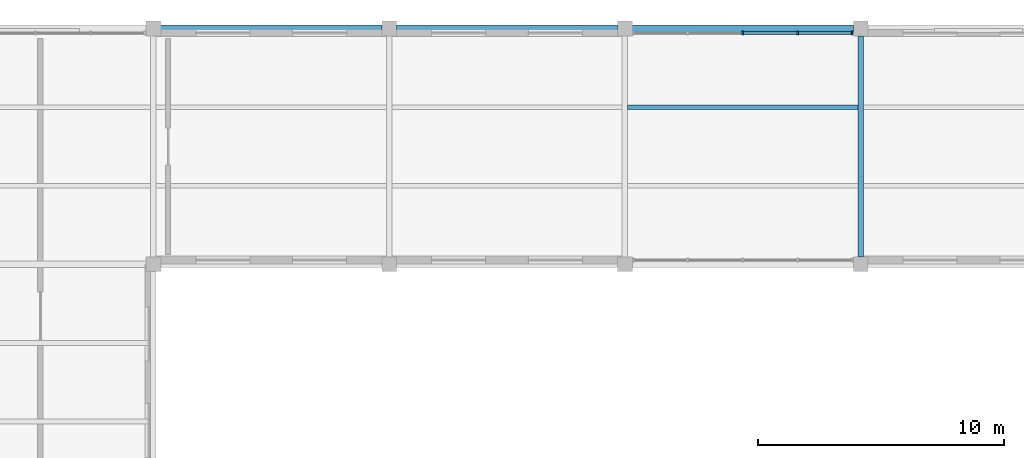
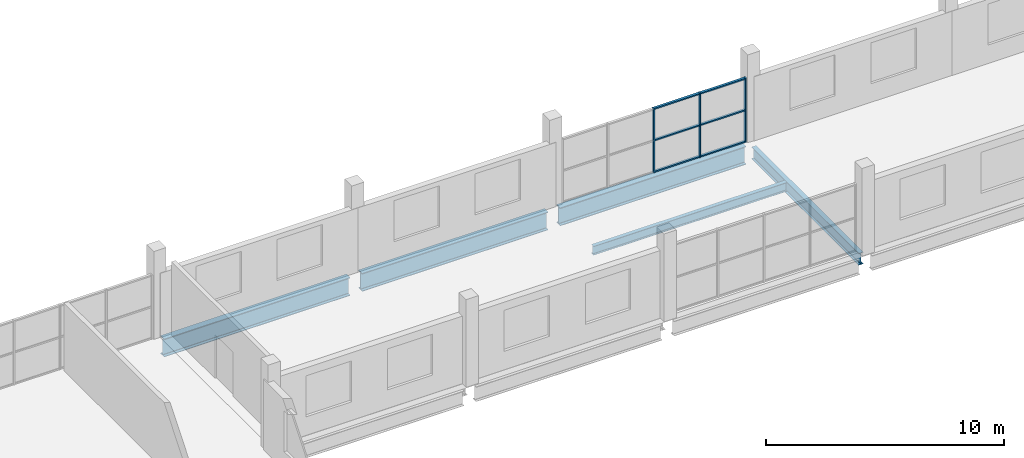
# One storey, part 42 of 92: 9 members, 5 beams, 1 element without a shape of its own.
"""IFC4 building model written with IfcOpenShell, lengths in metres."""

from ifc_helpers import new_model, si_unit, direction, frame, origin, origin_2d, place, context, subcontext, project, spatial, rectangle, i_section, extrude, material, layer, layer_set, material_profile, profile_set, type_object, element, aggregate, save


model = new_model("IFC4")

# Units and contexts
model_context = context("Model", 3, precision=1e-05, world=origin(), true_north=direction((0.0, 1.0)))
body_context = subcontext(model_context, "Body", "Model", "MODEL_VIEW")
ifc_project = project(units=[si_unit("LENGTHUNIT", "METRE"), si_unit("AREAUNIT", "SQUARE_METRE"), si_unit("VOLUMEUNIT", "CUBIC_METRE"), si_unit("PLANEANGLEUNIT", "RADIAN"), si_unit("MASSUNIT", "GRAM", prefix="KILO")], contexts=[model_context])

# Site, building, storey
site_placement = place(None, origin())
site = spatial("IfcSite", under=ifc_project, at=site_placement, CompositionType="ELEMENT")
building_placement = place(site_placement, origin())
building = spatial("IfcBuilding", under=site, at=building_placement, Name="Caelomonte Colonnade Arena", CompositionType="ELEMENT")
storey_placement = place(building_placement, frame((0.0, 0.0, 9.60009765625)))
storey = spatial("IfcBuildingStorey", under=building, at=storey_placement, Name="L02", CompositionType="ELEMENT", Elevation=9.60009765625)

# Curtain wall, members
ifc_material_1 = material(Name="Bronze anodised aluminium and low-E glazing", Category="aluminium")
ifc_layer = layer(ifc_material_1, 0.179931640625)
ifc_layer_set = layer_set([ifc_layer], Name="Bronze anodised aluminium and low-E glazing")
curtain_wall_type = type_object("IfcCurtainWallType", Name="ENV-CW-CW-L02-96-33", PredefinedType="USERDEFINED", material=ifc_layer_set)
curtain_wall_placement = place(storey_placement, origin())
curtain_wall = element("IfcCurtainWall", 1, at=curtain_wall_placement, inside=storey, type_object=curtain_wall_type, Name="L02 unitized curtain wall CW-L02-1200-1438", ObjectType="UNITIZED CURTAIN WALL", PredefinedType="USERDEFINED")
ifc_material_2 = material(Name="Bronze anodised aluminium AA6063-T6", Category="aluminium")
ifc_material_profile_1 = material_profile(ifc_material_2, rectangle(XDim=0.06494140625, YDim=0.14990234375, at=origin_2d()), Name="CWM-65X150")
ifc_profile_set_1 = profile_set([ifc_material_profile_1], Name="Bronze anodised aluminium AA6063-T6")
member_type_1 = type_object("IfcMemberType", Name="ENV-CW-MULL2", PredefinedType="MULLION", material=ifc_profile_set_1)
member_1_placement = place(storey_placement, frame((124.447509765625, 143.820068359375, 0.0), z_axis=(0.0, 0.0, 1.0), x_axis=(-1.0, 0.0, 0.0)))
member_1 = element("IfcMember", 2, at=member_1_placement, type_object=member_type_1, Name="CW-L02-96-33 mullion 1", PredefinedType="MULLION", context=body_context, shape_type="SweptSolid", body=[
    extrude(rectangle(XDim=0.06494140625, YDim=0.14990234375, at=origin_2d()), origin(), (0.0, 0.0, 1.0), 3.29296875),
])
member_2_placement = place(storey_placement, frame((122.239990234375, 143.820068359375, 0.0), z_axis=(0.0, 0.0, 1.0), x_axis=(-1.0, 0.0, 0.0)))
member_2 = element("IfcMember", 3, at=member_2_placement, type_object=member_type_1, Name="CW-L02-96-33 mullion 2", PredefinedType="MULLION", context=body_context, shape_type="SweptSolid", body=[
    extrude(rectangle(XDim=0.06494140625, YDim=0.14990234375, at=origin_2d()), origin(), (0.0, 0.0, 1.0), 3.29296875),
])
member_3_placement = place(storey_placement, frame((120.0, 143.820068359375, 0.0), z_axis=(0.0, 0.0, 1.0), x_axis=(-1.0, 0.0, 0.0)))
member_3 = element("IfcMember", 4, at=member_3_placement, type_object=member_type_1, Name="CW-L02-96-33 mullion 3", PredefinedType="MULLION", context=body_context, shape_type="SweptSolid", body=[
    extrude(rectangle(XDim=0.06494140625, YDim=0.14990234375, at=origin_2d()), origin(), (0.0, 0.0, 1.0), 3.29296875),
])
ifc_material_profile_2 = material_profile(ifc_material_2, rectangle(XDim=0.06494140625, YDim=0.1201171875, at=origin_2d()), Name="CWT-65X120")
ifc_profile_set_2 = profile_set([ifc_material_profile_2], Name="Bronze anodised aluminium AA6063-T6")
member_type_2 = type_object("IfcMemberType", Name="ENV-CW-TRAN2", PredefinedType="USERDEFINED", material=ifc_profile_set_2)
member_4_placement = place(storey_placement, frame((124.4150390625, 143.820068359375, 0.032470703125), z_axis=(-1.0, 0.0, 0.0), x_axis=(0.0, 0.0, 1.0)))
member_4 = element("IfcMember", 5, at=member_4_placement, type_object=member_type_2, Name="CW-L02-96-33 transom 1.1", ObjectType="TRANSOM", PredefinedType="USERDEFINED", context=body_context, shape_type="SweptSolid", body=[
    extrude(rectangle(XDim=0.06494140625, YDim=0.1201171875, at=origin_2d()), origin(), (0.0, 0.0, 1.0), 2.142578125),
])
member_5_placement = place(storey_placement, frame((124.4150390625, 143.820068359375, 1.646484375), z_axis=(-1.0, 0.0, 0.0), x_axis=(0.0, 0.0, 1.0)))
member_5 = element("IfcMember", 6, at=member_5_placement, type_object=member_type_2, Name="CW-L02-96-33 transom 1.2", ObjectType="TRANSOM", PredefinedType="USERDEFINED", context=body_context, shape_type="SweptSolid", body=[
    extrude(rectangle(XDim=0.06494140625, YDim=0.1201171875, at=origin_2d()), origin(), (0.0, 0.0, 1.0), 2.142578125),
])
member_6_placement = place(storey_placement, frame((124.4150390625, 143.820068359375, 3.260498046875), z_axis=(-1.0, 0.0, 0.0), x_axis=(0.0, 0.0, 1.0)))
member_6 = element("IfcMember", 7, at=member_6_placement, type_object=member_type_2, Name="CW-L02-96-33 transom 1.3", ObjectType="TRANSOM", PredefinedType="USERDEFINED", context=body_context, shape_type="SweptSolid", body=[
    extrude(rectangle(XDim=0.06494140625, YDim=0.1201171875, at=origin_2d()), origin(), (0.0, 0.0, 1.0), 2.142578125),
])
member_7_placement = place(storey_placement, frame((122.20751953125, 143.820068359375, 0.032470703125), z_axis=(-1.0, 0.0, 0.0), x_axis=(0.0, 0.0, 1.0)))
member_7 = element("IfcMember", 8, at=member_7_placement, type_object=member_type_2, Name="CW-L02-96-33 transom 2.1", ObjectType="TRANSOM", PredefinedType="USERDEFINED", context=body_context, shape_type="SweptSolid", body=[
    extrude(rectangle(XDim=0.06494140625, YDim=0.1201171875, at=origin_2d()), origin(), (0.0, 0.0, 1.0), 2.175048828125),
])
member_8_placement = place(storey_placement, frame((122.20751953125, 143.820068359375, 1.646484375), z_axis=(-1.0, 0.0, 0.0), x_axis=(0.0, 0.0, 1.0)))
member_8 = element("IfcMember", 9, at=member_8_placement, type_object=member_type_2, Name="CW-L02-96-33 transom 2.2", ObjectType="TRANSOM", PredefinedType="USERDEFINED", context=body_context, shape_type="SweptSolid", body=[
    extrude(rectangle(XDim=0.06494140625, YDim=0.1201171875, at=origin_2d()), origin(), (0.0, 0.0, 1.0), 2.175048828125),
])
member_9_placement = place(storey_placement, frame((122.20751953125, 143.820068359375, 3.260498046875), z_axis=(-1.0, 0.0, 0.0), x_axis=(0.0, 0.0, 1.0)))
member_9 = element("IfcMember", 10, at=member_9_placement, type_object=member_type_2, Name="CW-L02-96-33 transom 2.3", ObjectType="TRANSOM", PredefinedType="USERDEFINED", context=body_context, shape_type="SweptSolid", body=[
    extrude(rectangle(XDim=0.06494140625, YDim=0.1201171875, at=origin_2d()), origin(), (0.0, 0.0, 1.0), 2.175048828125),
])
aggregate(curtain_wall, [member_1, member_2, member_3, member_4, member_5, member_6, member_7, member_8, member_9])

# Beams
ifc_material_3 = material(Name="Wide-flange steel ASTM A992 Grade 50", Category="steel")
ifc_material_profile_3 = material_profile(ifc_material_3, i_section(OverallWidth=0.307861328125, OverallDepth=0.927001953125, WebThickness=0.019287109375, FlangeThickness=0.031982421875, FilletRadius=0.020263671875, at=origin_2d()), Name="W36X194")
ifc_profile_set_3 = profile_set([ifc_material_profile_3], Name="Wide-flange steel ASTM A992 Grade 50")
beam_type_1 = type_object("IfcBeamType", Name="STR-BM-EAVES2", PredefinedType="SPANDREL", material=ifc_profile_set_3)
beam_1_placement = place(storey_placement, frame((96.2919921875, 144.0, -0.74365234375), z_axis=(1.0, 0.0, 0.0), x_axis=(0.0, 1.0, 0.0)))
element("IfcBeam", 11, at=beam_1_placement, inside=storey, type_object=beam_type_1, Name="L02 girder BMX-L02-0960-1440", PredefinedType="SPANDREL", context=body_context, shape_type="SweptSolid", body=[
    extrude(i_section(OverallWidth=0.307861328125, OverallDepth=0.927001953125, WebThickness=0.019287109375, FlangeThickness=0.031982421875, FilletRadius=0.020263671875, at=origin_2d()), origin(), (0.0, 0.0, 1.0), 9.01611328125),
])
beam_2_placement = place(storey_placement, frame((105.89208984375, 144.0, -0.74365234375), z_axis=(1.0, 0.0, 0.0), x_axis=(0.0, 1.0, 0.0)))
element("IfcBeam", 12, at=beam_2_placement, inside=storey, type_object=beam_type_1, Name="L02 girder BMX-L02-1056-1440", PredefinedType="SPANDREL", context=body_context, shape_type="SweptSolid", body=[
    extrude(i_section(OverallWidth=0.307861328125, OverallDepth=0.927001953125, WebThickness=0.019287109375, FlangeThickness=0.031982421875, FilletRadius=0.020263671875, at=origin_2d()), origin(), (0.0, 0.0, 1.0), 9.015869140625),
])
beam_3_placement = place(storey_placement, frame((115.491943359375, 144.0, -0.74365234375), z_axis=(1.0, 0.0, 0.0), x_axis=(0.0, 1.0, 0.0)))
element("IfcBeam", 13, at=beam_3_placement, inside=storey, type_object=beam_type_1, Name="L02 girder BMX-L02-1152-1440", PredefinedType="SPANDREL", context=body_context, shape_type="SweptSolid", body=[
    extrude(i_section(OverallWidth=0.307861328125, OverallDepth=0.927001953125, WebThickness=0.019287109375, FlangeThickness=0.031982421875, FilletRadius=0.020263671875, at=origin_2d()), origin(), (0.0, 0.0, 1.0), 9.01611328125),
])
ifc_material_profile_4 = material_profile(ifc_material_3, i_section(OverallWidth=0.228271484375, OverallDepth=0.607177734375, WebThickness=0.01123046875, FlangeThickness=0.017333984375, FilletRadius=0.0126953125, at=origin_2d()), Name="W24X76")
ifc_profile_set_4 = profile_set([ifc_material_profile_4], Name="Wide-flange steel ASTM A992 Grade 50")
beam_type_2 = type_object("IfcBeamType", Name="STR-BM-GIRD24", PredefinedType="BEAM", material=ifc_profile_set_4)
beam_4_placement = place(storey_placement, frame((124.800048828125, 134.69189453125, -0.58349609375), z_axis=(0.0, 1.0, 0.0), x_axis=(-1.0, 0.0, 0.0)))
element("IfcBeam", 14, at=beam_4_placement, inside=storey, type_object=beam_type_2, Name="L02 girder BMY-L02-1248-1344", PredefinedType="BEAM", context=body_context, shape_type="SweptSolid", body=[
    extrude(i_section(OverallWidth=0.228271484375, OverallDepth=0.607177734375, WebThickness=0.01123046875, FlangeThickness=0.017333984375, FilletRadius=0.0126953125, at=origin_2d()), origin(), (0.0, 0.0, 1.0), 9.01611328125),
])
ifc_material_profile_5 = material_profile(ifc_material_3, i_section(OverallWidth=0.1904296875, OverallDepth=0.457275390625, WebThickness=0.009033203125, FlangeThickness=0.014404296875, FilletRadius=0.01025390625, at=origin_2d()), Name="W18X50")
ifc_profile_set_5 = profile_set([ifc_material_profile_5], Name="Wide-flange steel ASTM A992 Grade 50")
beam_type_3 = type_object("IfcBeamType", Name="STR-BM-JOIST18", PredefinedType="JOIST", material=ifc_profile_set_5)
beam_5_placement = place(storey_placement, frame((115.30908203125, 140.800048828125, -0.5087890625), z_axis=(1.0, 0.0, 0.0), x_axis=(0.0, 1.0, 0.0)))
element("IfcBeam", 15, at=beam_5_placement, inside=storey, type_object=beam_type_3, Name="L02 secondary joist 2", PredefinedType="JOIST", context=body_context, shape_type="SweptSolid", body=[
    extrude(i_section(OverallWidth=0.1904296875, OverallDepth=0.457275390625, WebThickness=0.009033203125, FlangeThickness=0.014404296875, FilletRadius=0.01025390625, at=origin_2d()), origin(), (0.0, 0.0, 1.0), 9.3818359375),
])

save(model, "model.ifc")
